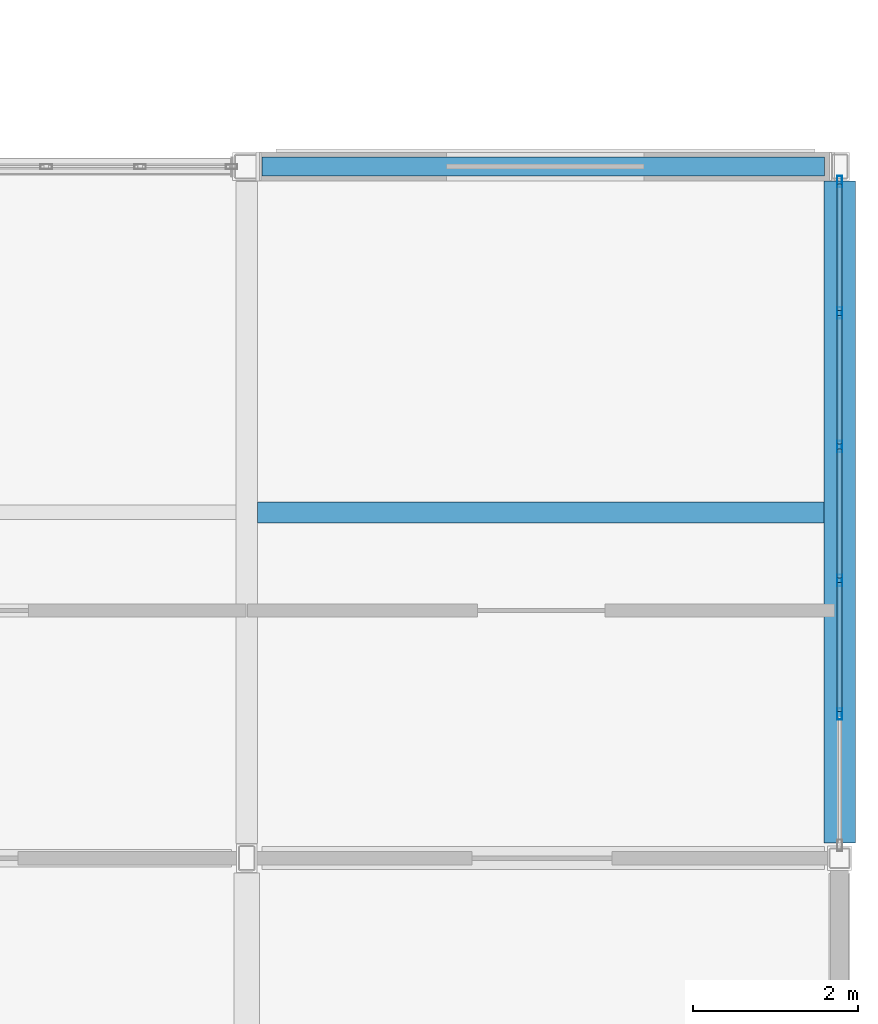
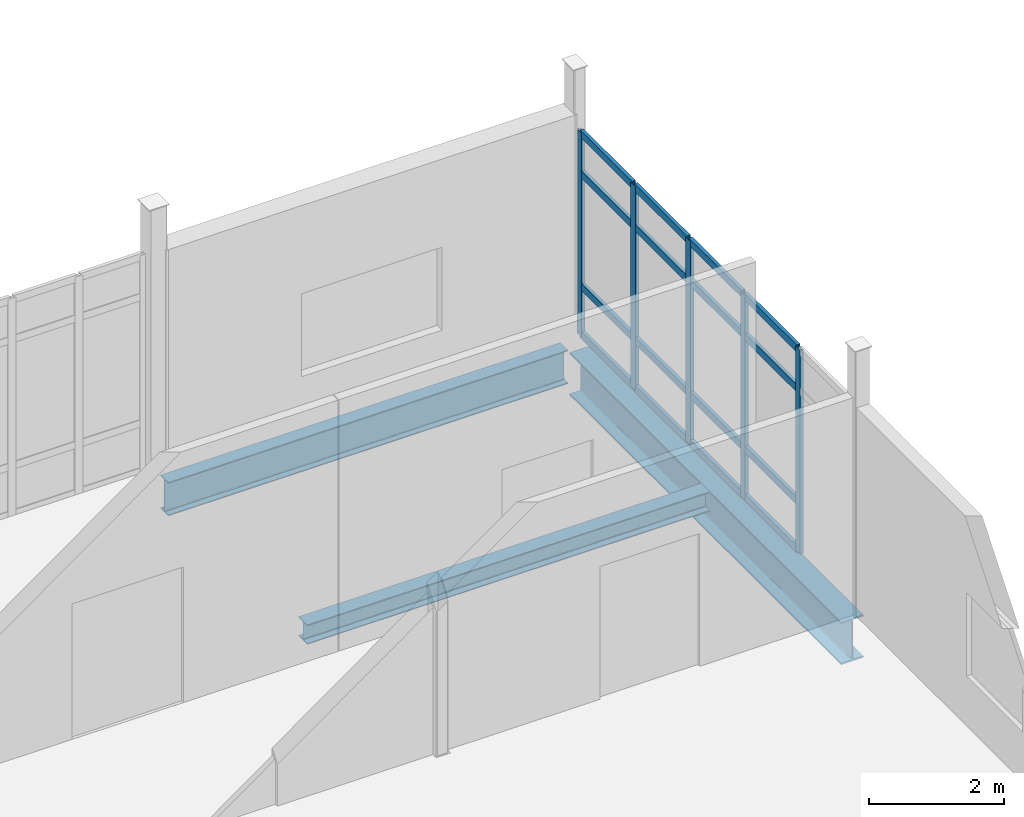
# One storey, part 87 of 153: 21 members, 3 beams, 1 element without a shape of its own.
"""IFC4 building model written with IfcOpenShell, lengths in metres."""

from ifc_helpers import new_model, si_unit, direction, frame, origin, origin_2d, place, context, subcontext, project, spatial, hollow_rectangle, i_section, extrude, material, layer, layer_set, material_profile, profile_set, type_object, element, aggregate, save


model = new_model("IFC4")

# Units and contexts
model_context = context("Model", 3, precision=1e-05, world=origin(), true_north=direction((0.0, 1.0)))
body_context = subcontext(model_context, "Body", "Model", "MODEL_VIEW")
ifc_project = project(units=[si_unit("LENGTHUNIT", "METRE"), si_unit("AREAUNIT", "SQUARE_METRE"), si_unit("VOLUMEUNIT", "CUBIC_METRE"), si_unit("PLANEANGLEUNIT", "RADIAN"), si_unit("MASSUNIT", "GRAM", prefix="KILO")], contexts=[model_context])

# Site, building, storey
site_placement = place(None, origin())
site = spatial("IfcSite", under=ifc_project, at=site_placement, CompositionType="ELEMENT")
building_placement = place(site_placement, origin())
building = spatial("IfcBuilding", under=site, at=building_placement, Name="Calvrana Isthmian Art Gallery", CompositionType="ELEMENT")
storey_placement = place(building_placement, frame((0.0, 0.0, 10.199951171875)))
storey = spatial("IfcBuildingStorey", under=building, at=storey_placement, Name="L02", CompositionType="ELEMENT", Elevation=10.199951171875)

# Beams
ifc_material_1 = material(Name="Steel ASTM A992 Gr 50", Category="steel")
ifc_material_profile_1 = material_profile(ifc_material_1, i_section(OverallWidth=0.22802734375, OverallDepth=0.60693359375, WebThickness=0.01123046875, FlangeThickness=0.017333984375, FilletRadius=0.02197265625, at=origin_2d()), Name="W24X76")
ifc_profile_set_1 = profile_set([ifc_material_profile_1], Name="Steel ASTM A992 Gr 50")
beam_type_1 = type_object("IfcBeamType", Name="BM-G-W24X76", PredefinedType="BEAM", material=ifc_profile_set_1)
beam_1_placement = place(storey_placement, frame((148.985595703125, 46.800048828125, -0.568359375), z_axis=(1.0, 0.0, 0.0), x_axis=(0.0, 1.0, 0.0)))
element("IfcBeam", 1, at=beam_1_placement, inside=storey, type_object=beam_type_1, Name="Girder X L02 20-21/G", PredefinedType="BEAM", context=body_context, shape_type="SweptSolid", body=[
    extrude(i_section(OverallWidth=0.22802734375, OverallDepth=0.60693359375, WebThickness=0.01123046875, FlangeThickness=0.017333984375, FilletRadius=0.02197265625, at=origin_2d()), origin(), (0.0, 0.0, 1.0), 6.830322265625),
])
ifc_material_profile_2 = material_profile(ifc_material_1, i_section(OverallWidth=0.381103515625, OverallDepth=0.77197265625, WebThickness=0.0166015625, FlangeThickness=0.027099609375, FilletRadius=0.02490234375, at=origin_2d()), Name="W30X173")
ifc_profile_set_2 = profile_set([ifc_material_profile_2], Name="Steel ASTM A992 Gr 50")
beam_type_2 = type_object("IfcBeamType", Name="BM-G-W30X173", PredefinedType="BEAM", material=ifc_profile_set_2)
beam_2_placement = place(storey_placement, frame((156.0, 38.58642578125, -0.65087890625), z_axis=(0.0, 1.0, 0.0), x_axis=(-1.0, 0.0, 0.0)))
element("IfcBeam", 2, at=beam_2_placement, inside=storey, type_object=beam_type_2, Name="Girder Y L02 21/F-G", PredefinedType="BEAM", context=body_context, shape_type="SweptSolid", body=[
    extrude(i_section(OverallWidth=0.381103515625, OverallDepth=0.77197265625, WebThickness=0.0166015625, FlangeThickness=0.027099609375, FilletRadius=0.02490234375, at=origin_2d()), origin(), (0.0, 0.0, 1.0), 8.03564453125),
])
ifc_material_profile_3 = material_profile(ifc_material_1, i_section(OverallWidth=0.25390625, OverallDepth=0.35302734375, WebThickness=0.009521484375, FlangeThickness=0.016357421875, FilletRadius=0.01806640625, at=origin_2d()), Name="W14X61")
ifc_profile_set_3 = profile_set([ifc_material_profile_3], Name="Steel ASTM A992 Gr 50")
beam_type_3 = type_object("IfcBeamType", Name="BM-J-W14X61", PredefinedType="JOIST", material=ifc_profile_set_3)
beam_3_placement = place(storey_placement, frame((148.928466796875, 42.60009765625, -0.44140625), z_axis=(1.0, 0.0, 0.0), x_axis=(0.0, 1.0, 0.0)))
element("IfcBeam", 3, at=beam_3_placement, inside=storey, type_object=beam_type_3, Name="Composite joist L02 bay 19-05", PredefinedType="JOIST", context=body_context, shape_type="SweptSolid", body=[
    extrude(i_section(OverallWidth=0.25390625, OverallDepth=0.35302734375, WebThickness=0.009521484375, FlangeThickness=0.016357421875, FilletRadius=0.01806640625, at=origin_2d()), origin(), (0.0, 0.0, 1.0), 6.881103515625),
])

# Curtain wall, members
ifc_material_2 = material(Name="Anodized bronze aluminium 6063-T6", Category="aluminium")
ifc_layer = layer(ifc_material_2, 0.179931640625, Name="Anodized bronze aluminium 6063-T6")
ifc_layer_set = layer_set([ifc_layer], Name="Anodized bronze aluminium 6063-T6")
curtain_wall_type = type_object("IfcCurtainWallType", Name="CW-UNIT-081X37", PredefinedType="USERDEFINED", material=ifc_layer_set)
curtain_wall_placement = place(storey_placement, origin())
curtain_wall = element("IfcCurtainWall", 4, at=curtain_wall_placement, inside=storey, type_object=curtain_wall_type, Name="Curtain wall CW-186", ObjectType="UNITISED CURTAIN WALL", PredefinedType="USERDEFINED")
ifc_material_profile_4 = material_profile(ifc_material_2, hollow_rectangle(XDim=0.06005859375, YDim=0.139892578125, WallThickness=0.00390625, at=origin_2d()), Name="CWM60X140")
ifc_profile_set_4 = profile_set([ifc_material_profile_4], Name="Anodized bronze aluminium 6063-T6")
member_type_1 = type_object("IfcMemberType", Name="CWM-CWM60X140", PredefinedType="MULLION", material=ifc_profile_set_4)
member_1_placement = place(storey_placement, frame((156.0, 46.61767578125, 0.0), z_axis=(0.0, 0.0, 1.0), x_axis=(1.0, 0.0, 0.0)))
member_1 = element("IfcMember", 5, at=member_1_placement, type_object=member_type_1, Name="CW-186 mullion 1", PredefinedType="MULLION", context=body_context, shape_type="SweptSolid", body=[
    extrude(hollow_rectangle(XDim=0.06005859375, YDim=0.139892578125, WallThickness=0.00390625, at=origin_2d()), origin(), (0.0, 0.0, 1.0), 3.68408203125),
])
member_2_placement = place(storey_placement, frame((156.0, 45.0234375, 0.0), z_axis=(0.0, 0.0, 1.0), x_axis=(1.0, 0.0, 0.0)))
member_2 = element("IfcMember", 6, at=member_2_placement, type_object=member_type_1, Name="CW-186 mullion 2", PredefinedType="MULLION", context=body_context, shape_type="SweptSolid", body=[
    extrude(hollow_rectangle(XDim=0.06005859375, YDim=0.139892578125, WallThickness=0.00390625, at=origin_2d()), origin(), (0.0, 0.0, 1.0), 3.68408203125),
])
member_3_placement = place(storey_placement, frame((156.0, 43.3994140625, 0.0), z_axis=(0.0, 0.0, 1.0), x_axis=(1.0, 0.0, 0.0)))
member_3 = element("IfcMember", 7, at=member_3_placement, type_object=member_type_1, Name="CW-186 mullion 3", PredefinedType="MULLION", context=body_context, shape_type="SweptSolid", body=[
    extrude(hollow_rectangle(XDim=0.06005859375, YDim=0.139892578125, WallThickness=0.00390625, at=origin_2d()), origin(), (0.0, 0.0, 1.0), 3.68408203125),
])
member_4_placement = place(storey_placement, frame((156.0, 41.775146484375, 0.0), z_axis=(0.0, 0.0, 1.0), x_axis=(1.0, 0.0, 0.0)))
member_4 = element("IfcMember", 8, at=member_4_placement, type_object=member_type_1, Name="CW-186 mullion 4", PredefinedType="MULLION", context=body_context, shape_type="SweptSolid", body=[
    extrude(hollow_rectangle(XDim=0.06005859375, YDim=0.139892578125, WallThickness=0.00390625, at=origin_2d()), origin(), (0.0, 0.0, 1.0), 3.68408203125),
])
member_5_placement = place(storey_placement, frame((156.0, 40.151123046875, 0.0), z_axis=(0.0, 0.0, 1.0), x_axis=(1.0, 0.0, 0.0)))
member_5 = element("IfcMember", 9, at=member_5_placement, type_object=member_type_1, Name="CW-186 mullion 5", PredefinedType="MULLION", context=body_context, shape_type="SweptSolid", body=[
    extrude(hollow_rectangle(XDim=0.06005859375, YDim=0.139892578125, WallThickness=0.00390625, at=origin_2d()), origin(), (0.0, 0.0, 1.0), 3.68408203125),
])
ifc_material_profile_5 = material_profile(ifc_material_2, hollow_rectangle(XDim=0.06005859375, YDim=0.1298828125, WallThickness=0.00390625, at=origin_2d()), Name="CWT60X130")
ifc_profile_set_5 = profile_set([ifc_material_profile_5], Name="Anodized bronze aluminium 6063-T6")
member_type_2 = type_object("IfcMemberType", Name="CWT-CWT60X130", PredefinedType="USERDEFINED", material=ifc_profile_set_5)
member_6_placement = place(storey_placement, frame((156.0, 46.587646484375, 0.030029296875), z_axis=(0.0, -1.0, 0.0), x_axis=(1.0, 0.0, 0.0)))
member_6 = element("IfcMember", 10, at=member_6_placement, type_object=member_type_2, Name="CW-186 transom 1.1", ObjectType="TRANSOM", PredefinedType="USERDEFINED", context=body_context, shape_type="SweptSolid", body=[
    extrude(hollow_rectangle(XDim=0.06005859375, YDim=0.1298828125, WallThickness=0.00390625, at=origin_2d()), origin(), (0.0, 0.0, 1.0), 1.5341796875),
])
member_7_placement = place(storey_placement, frame((156.0, 46.587646484375, 0.900146484375), z_axis=(0.0, -1.0, 0.0), x_axis=(1.0, 0.0, 0.0)))
member_7 = element("IfcMember", 11, at=member_7_placement, type_object=member_type_2, Name="CW-186 transom 1.2", ObjectType="TRANSOM", PredefinedType="USERDEFINED", context=body_context, shape_type="SweptSolid", body=[
    extrude(hollow_rectangle(XDim=0.06005859375, YDim=0.1298828125, WallThickness=0.00390625, at=origin_2d()), origin(), (0.0, 0.0, 1.0), 1.5341796875),
])
member_8_placement = place(storey_placement, frame((156.0, 46.587646484375, 2.93408203125), z_axis=(0.0, -1.0, 0.0), x_axis=(1.0, 0.0, 0.0)))
member_8 = element("IfcMember", 12, at=member_8_placement, type_object=member_type_2, Name="CW-186 transom 1.3", ObjectType="TRANSOM", PredefinedType="USERDEFINED", context=body_context, shape_type="SweptSolid", body=[
    extrude(hollow_rectangle(XDim=0.06005859375, YDim=0.1298828125, WallThickness=0.00390625, at=origin_2d()), origin(), (0.0, 0.0, 1.0), 1.5341796875),
])
member_9_placement = place(storey_placement, frame((156.0, 46.587646484375, 3.654052734375), z_axis=(0.0, -1.0, 0.0), x_axis=(1.0, 0.0, 0.0)))
member_9 = element("IfcMember", 13, at=member_9_placement, type_object=member_type_2, Name="CW-186 transom 1.4", ObjectType="TRANSOM", PredefinedType="USERDEFINED", context=body_context, shape_type="SweptSolid", body=[
    extrude(hollow_rectangle(XDim=0.06005859375, YDim=0.1298828125, WallThickness=0.00390625, at=origin_2d()), origin(), (0.0, 0.0, 1.0), 1.5341796875),
])
member_10_placement = place(storey_placement, frame((156.0, 44.993408203125, 0.030029296875), z_axis=(0.0, -1.0, 0.0), x_axis=(1.0, 0.0, 0.0)))
member_10 = element("IfcMember", 14, at=member_10_placement, type_object=member_type_2, Name="CW-186 transom 2.1", ObjectType="TRANSOM", PredefinedType="USERDEFINED", context=body_context, shape_type="SweptSolid", body=[
    extrude(hollow_rectangle(XDim=0.06005859375, YDim=0.1298828125, WallThickness=0.00390625, at=origin_2d()), origin(), (0.0, 0.0, 1.0), 1.56396484375),
])
member_11_placement = place(storey_placement, frame((156.0, 44.993408203125, 0.900146484375), z_axis=(0.0, -1.0, 0.0), x_axis=(1.0, 0.0, 0.0)))
member_11 = element("IfcMember", 15, at=member_11_placement, type_object=member_type_2, Name="CW-186 transom 2.2", ObjectType="TRANSOM", PredefinedType="USERDEFINED", context=body_context, shape_type="SweptSolid", body=[
    extrude(hollow_rectangle(XDim=0.06005859375, YDim=0.1298828125, WallThickness=0.00390625, at=origin_2d()), origin(), (0.0, 0.0, 1.0), 1.56396484375),
])
member_12_placement = place(storey_placement, frame((156.0, 44.993408203125, 2.93408203125), z_axis=(0.0, -1.0, 0.0), x_axis=(1.0, 0.0, 0.0)))
member_12 = element("IfcMember", 16, at=member_12_placement, type_object=member_type_2, Name="CW-186 transom 2.3", ObjectType="TRANSOM", PredefinedType="USERDEFINED", context=body_context, shape_type="SweptSolid", body=[
    extrude(hollow_rectangle(XDim=0.06005859375, YDim=0.1298828125, WallThickness=0.00390625, at=origin_2d()), origin(), (0.0, 0.0, 1.0), 1.56396484375),
])
member_13_placement = place(storey_placement, frame((156.0, 44.993408203125, 3.654052734375), z_axis=(0.0, -1.0, 0.0), x_axis=(1.0, 0.0, 0.0)))
member_13 = element("IfcMember", 17, at=member_13_placement, type_object=member_type_2, Name="CW-186 transom 2.4", ObjectType="TRANSOM", PredefinedType="USERDEFINED", context=body_context, shape_type="SweptSolid", body=[
    extrude(hollow_rectangle(XDim=0.06005859375, YDim=0.1298828125, WallThickness=0.00390625, at=origin_2d()), origin(), (0.0, 0.0, 1.0), 1.56396484375),
])
member_14_placement = place(storey_placement, frame((156.0, 43.369384765625, 0.030029296875), z_axis=(0.0, -1.0, 0.0), x_axis=(1.0, 0.0, 0.0)))
member_14 = element("IfcMember", 18, at=member_14_placement, type_object=member_type_2, Name="CW-186 transom 3.1", ObjectType="TRANSOM", PredefinedType="USERDEFINED", context=body_context, shape_type="SweptSolid", body=[
    extrude(hollow_rectangle(XDim=0.06005859375, YDim=0.1298828125, WallThickness=0.00390625, at=origin_2d()), origin(), (0.0, 0.0, 1.0), 1.564208984375),
])
member_15_placement = place(storey_placement, frame((156.0, 43.369384765625, 0.900146484375), z_axis=(0.0, -1.0, 0.0), x_axis=(1.0, 0.0, 0.0)))
member_15 = element("IfcMember", 19, at=member_15_placement, type_object=member_type_2, Name="CW-186 transom 3.2", ObjectType="TRANSOM", PredefinedType="USERDEFINED", context=body_context, shape_type="SweptSolid", body=[
    extrude(hollow_rectangle(XDim=0.06005859375, YDim=0.1298828125, WallThickness=0.00390625, at=origin_2d()), origin(), (0.0, 0.0, 1.0), 1.564208984375),
])
member_16_placement = place(storey_placement, frame((156.0, 43.369384765625, 2.93408203125), z_axis=(0.0, -1.0, 0.0), x_axis=(1.0, 0.0, 0.0)))
member_16 = element("IfcMember", 20, at=member_16_placement, type_object=member_type_2, Name="CW-186 transom 3.3", ObjectType="TRANSOM", PredefinedType="USERDEFINED", context=body_context, shape_type="SweptSolid", body=[
    extrude(hollow_rectangle(XDim=0.06005859375, YDim=0.1298828125, WallThickness=0.00390625, at=origin_2d()), origin(), (0.0, 0.0, 1.0), 1.564208984375),
])
member_17_placement = place(storey_placement, frame((156.0, 43.369384765625, 3.654052734375), z_axis=(0.0, -1.0, 0.0), x_axis=(1.0, 0.0, 0.0)))
member_17 = element("IfcMember", 21, at=member_17_placement, type_object=member_type_2, Name="CW-186 transom 3.4", ObjectType="TRANSOM", PredefinedType="USERDEFINED", context=body_context, shape_type="SweptSolid", body=[
    extrude(hollow_rectangle(XDim=0.06005859375, YDim=0.1298828125, WallThickness=0.00390625, at=origin_2d()), origin(), (0.0, 0.0, 1.0), 1.564208984375),
])
member_18_placement = place(storey_placement, frame((156.0, 41.745361328125, 0.030029296875), z_axis=(0.0, -1.0, 0.0), x_axis=(1.0, 0.0, 0.0)))
member_18 = element("IfcMember", 22, at=member_18_placement, type_object=member_type_2, Name="CW-186 transom 4.1", ObjectType="TRANSOM", PredefinedType="USERDEFINED", context=body_context, shape_type="SweptSolid", body=[
    extrude(hollow_rectangle(XDim=0.06005859375, YDim=0.1298828125, WallThickness=0.00390625, at=origin_2d()), origin(), (0.0, 0.0, 1.0), 1.564208984375),
])
member_19_placement = place(storey_placement, frame((156.0, 41.745361328125, 0.900146484375), z_axis=(0.0, -1.0, 0.0), x_axis=(1.0, 0.0, 0.0)))
member_19 = element("IfcMember", 23, at=member_19_placement, type_object=member_type_2, Name="CW-186 transom 4.2", ObjectType="TRANSOM", PredefinedType="USERDEFINED", context=body_context, shape_type="SweptSolid", body=[
    extrude(hollow_rectangle(XDim=0.06005859375, YDim=0.1298828125, WallThickness=0.00390625, at=origin_2d()), origin(), (0.0, 0.0, 1.0), 1.564208984375),
])
member_20_placement = place(storey_placement, frame((156.0, 41.745361328125, 2.93408203125), z_axis=(0.0, -1.0, 0.0), x_axis=(1.0, 0.0, 0.0)))
member_20 = element("IfcMember", 24, at=member_20_placement, type_object=member_type_2, Name="CW-186 transom 4.3", ObjectType="TRANSOM", PredefinedType="USERDEFINED", context=body_context, shape_type="SweptSolid", body=[
    extrude(hollow_rectangle(XDim=0.06005859375, YDim=0.1298828125, WallThickness=0.00390625, at=origin_2d()), origin(), (0.0, 0.0, 1.0), 1.564208984375),
])
member_21_placement = place(storey_placement, frame((156.0, 41.745361328125, 3.654052734375), z_axis=(0.0, -1.0, 0.0), x_axis=(1.0, 0.0, 0.0)))
member_21 = element("IfcMember", 25, at=member_21_placement, type_object=member_type_2, Name="CW-186 transom 4.4", ObjectType="TRANSOM", PredefinedType="USERDEFINED", context=body_context, shape_type="SweptSolid", body=[
    extrude(hollow_rectangle(XDim=0.06005859375, YDim=0.1298828125, WallThickness=0.00390625, at=origin_2d()), origin(), (0.0, 0.0, 1.0), 1.564208984375),
])
aggregate(curtain_wall, [member_1, member_2, member_3, member_4, member_5, member_6, member_7, member_8, member_9, member_10, member_11, member_12, member_13, member_14, member_15, member_16, member_17, member_18, member_19, member_20, member_21])

save(model, "model.ifc")
